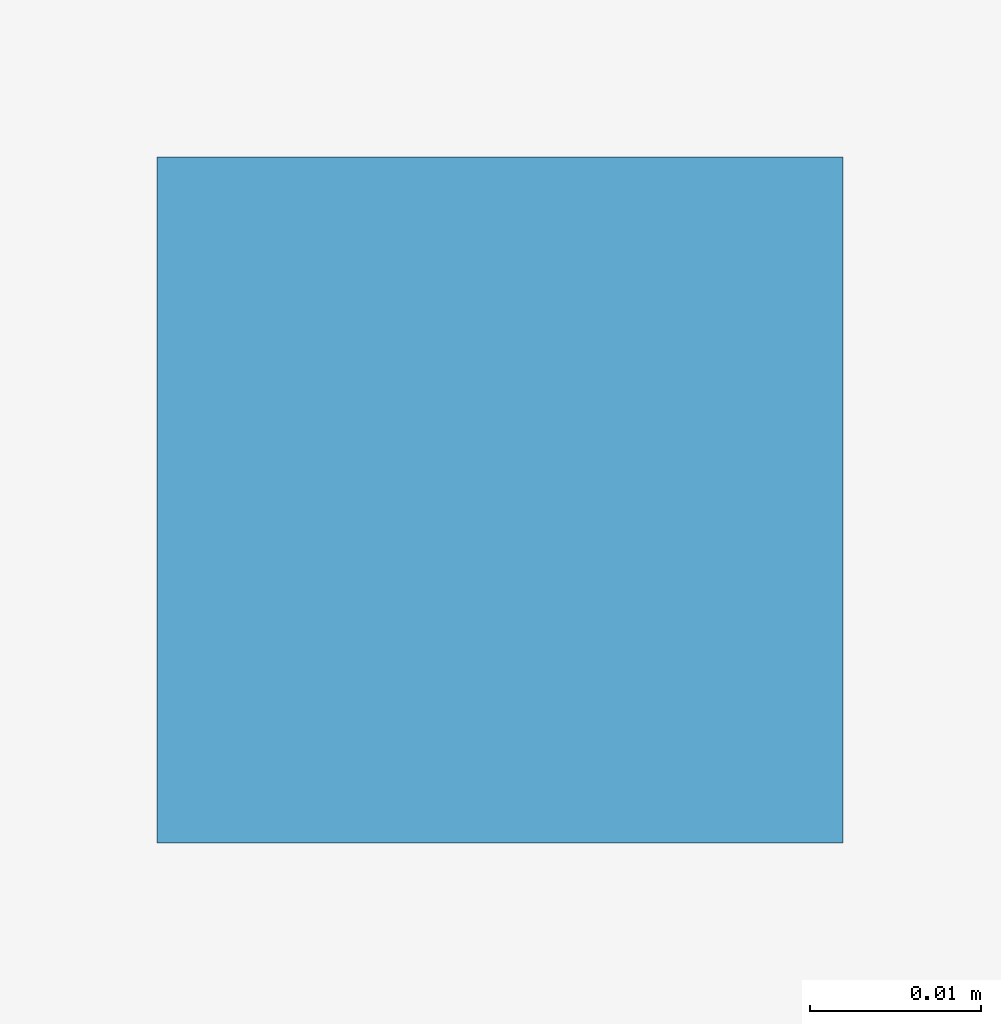
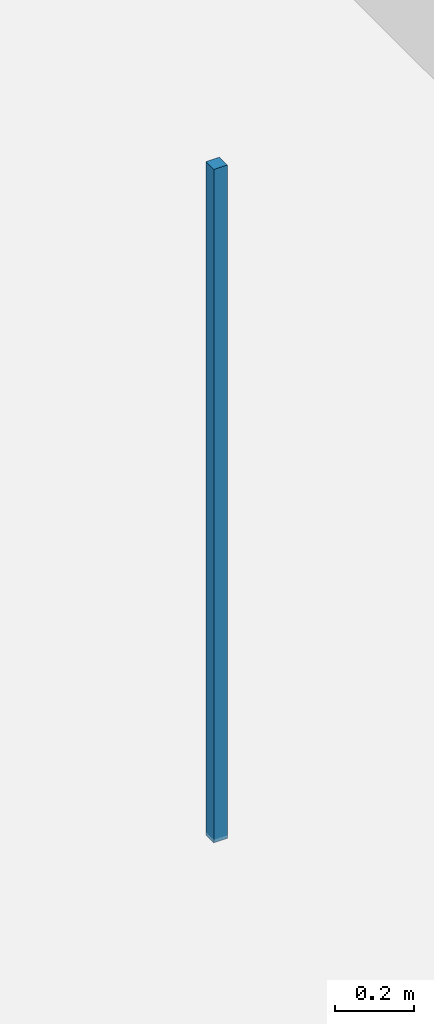
# One storey, part 99 of 157: 1 discrete accessory.
"""IFC4 building model written with IfcOpenShell, lengths in metres."""

from ifc_helpers import new_model, si_unit, direction, frame, origin, origin_2d, place, context, subcontext, project, spatial, rectangle, extrude, material, type_object, element, save


model = new_model("IFC4")

# Units and contexts
model_context = context("Model", 3, precision=1e-05, world=origin(), true_north=direction((0.0, 1.0)))
body_context = subcontext(model_context, "Body", "Model", "MODEL_VIEW")
ifc_project = project(units=[si_unit("LENGTHUNIT", "METRE"), si_unit("AREAUNIT", "SQUARE_METRE"), si_unit("VOLUMEUNIT", "CUBIC_METRE"), si_unit("PLANEANGLEUNIT", "RADIAN"), si_unit("MASSUNIT", "GRAM", prefix="KILO")], contexts=[model_context])

# Site, building, storey
site_placement = place(None, origin())
site = spatial("IfcSite", under=ifc_project, at=site_placement, CompositionType="ELEMENT")
building_placement = place(site_placement, origin())
building = spatial("IfcBuilding", under=site, at=building_placement, Name="Varncliffe General Hospital", CompositionType="ELEMENT")
storey_placement = place(building_placement, frame((0.0, 0.0, 5.39990234375)))
storey = spatial("IfcBuildingStorey", under=building, at=storey_placement, Name="L01", CompositionType="ELEMENT", Elevation=5.39990234375)

# Discrete accessory
ifc_material = material(Name="Powder-coated hospital steel guardrail and handrail", Category="steel")
discrete_accessory_type = type_object("IfcDiscreteAccessoryType", Name="Suspended Ceiling Hanger Bracket CH01", PredefinedType="BRACKET", material=ifc_material)
discrete_accessory_placement = place(storey_placement, frame((20.60009765625, 11.39990234375, 3.18994140625), z_axis=(0.0, 0.0, 1.0), x_axis=(1.0, 0.0, 0.0)))
element("IfcDiscreteAccessory", 1, at=discrete_accessory_placement, inside=storey, type_object=discrete_accessory_type, Name="L01 Suspended Ceiling Hanger 144", PredefinedType="BRACKET", context=body_context, shape_type="SweptSolid", body=[
    extrude(rectangle(XDim=0.0400390625, YDim=0.0400390625, at=origin_2d()), origin(), (0.0, 0.0, 1.0), 2.090087890625),
])

save(model, "model.ifc")
